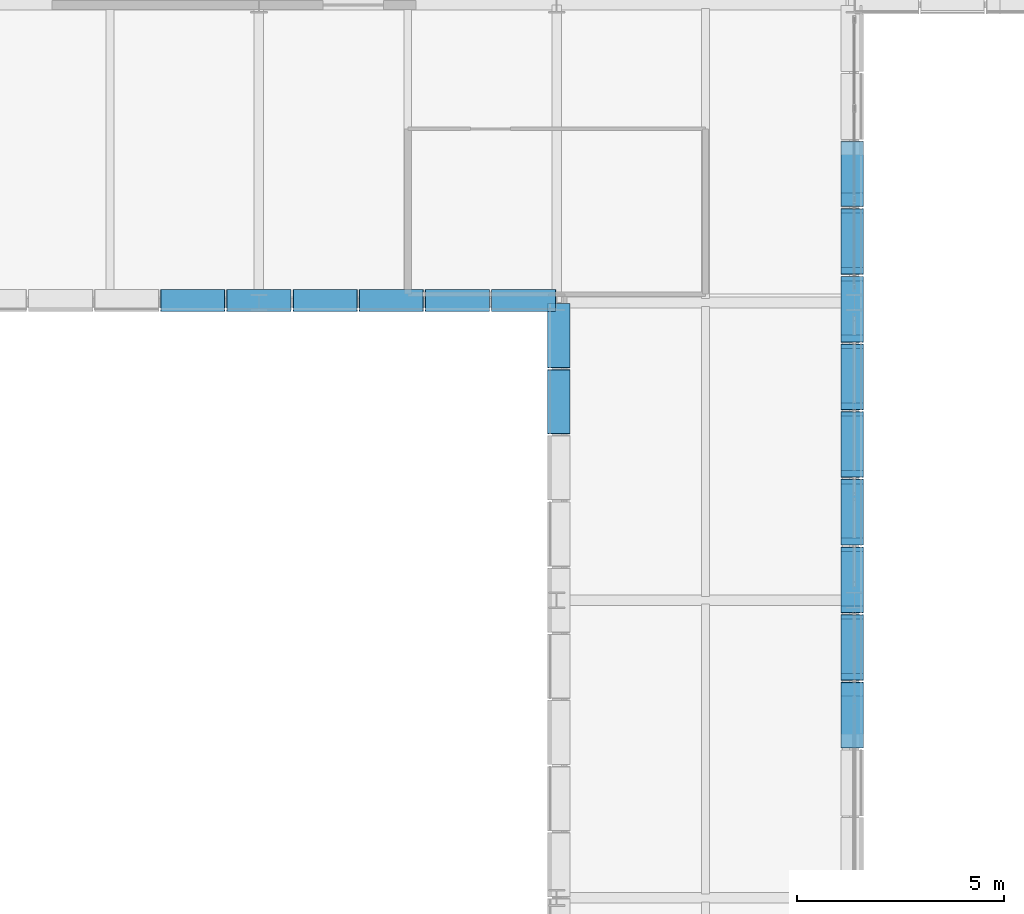
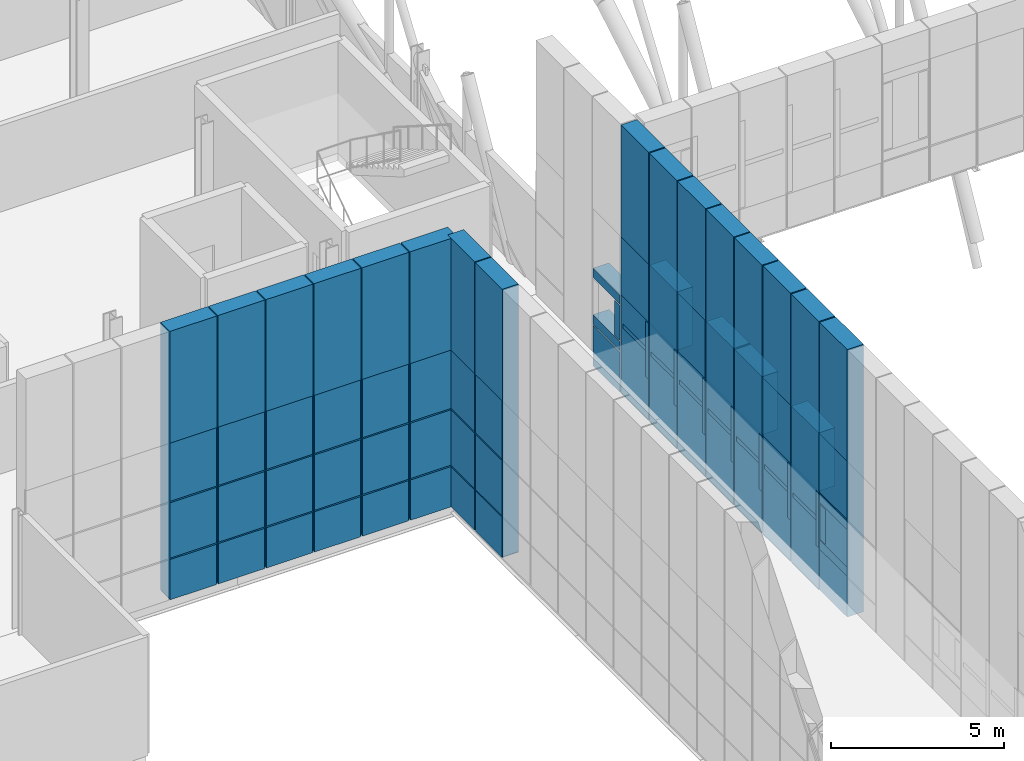
# One storey, part 113 of 144: 76 discrete accessories.
"""IFC4 building model written with IfcOpenShell, lengths in metres."""

from ifc_helpers import new_model, si_unit, direction, frame, origin, origin_2d, place, context, subcontext, project, spatial, rectangle, extrude, material, type_object, element, save


model = new_model("IFC4")

# Units and contexts
model_context = context("Model", 3, precision=1e-05, world=origin(), true_north=direction((0.0, 1.0)))
body_context = subcontext(model_context, "Body", "Model", "MODEL_VIEW")
ifc_project = project(units=[si_unit("LENGTHUNIT", "METRE"), si_unit("AREAUNIT", "SQUARE_METRE"), si_unit("VOLUMEUNIT", "CUBIC_METRE"), si_unit("PLANEANGLEUNIT", "RADIAN"), si_unit("MASSUNIT", "GRAM", prefix="KILO")], contexts=[model_context])

# Site, building, storey
site_placement = place(None, origin())
site = spatial("IfcSite", under=ifc_project, at=site_placement, CompositionType="ELEMENT")
building_placement = place(site_placement, origin())
building = spatial("IfcBuilding", under=site, at=building_placement, Name="Yarey Park Central Fire Station", CompositionType="ELEMENT")
storey_placement = place(building_placement, frame((0.0, 0.0, 10.199951171875)))
storey = spatial("IfcBuildingStorey", under=building, at=storey_placement, Name="L03", CompositionType="ELEMENT", Elevation=10.199951171875)

# Discrete accessories
ifc_material = material(Name="Stainless Steel AISI 316L", Category="steel")
discrete_accessory_type = type_object("IfcDiscreteAccessoryType", Name="ENV_BRK_SS1", PredefinedType="BRACKET", material=ifc_material)
for number, where, z_axis, x_axis, name in (
    (1, (57.550048828125, 40.418212890625, 0.97021484375), (0.0, 0.0, 1.0), (1.0, 0.0, 0.0), "BRK_PERF_L03_0386"),
    (2, (57.550048828125, 40.418212890625, 2.60986328125), (0.0, 0.0, 1.0), (1.0, 0.0, 0.0), "BRK_PERF_L03_0387"),
):
    element("IfcDiscreteAccessory", number, at=place(storey_placement, frame(where, z_axis=z_axis, x_axis=x_axis)), inside=storey, type_object=discrete_accessory_type, Name=name, PredefinedType="BRACKET", context=body_context, shape_type="SweptSolid", body=[
        extrude(rectangle(XDim=0.5400390625, YDim=1.576416015625, at=origin_2d()), origin(), (0.0, 0.0, 1.0), 0.320068359375),
    ])
discrete_accessory_1_placement = place(storey_placement, frame((57.550048828125, 41.036376953125, 1.3349609375), z_axis=(0.0, 0.0, 1.0), x_axis=(1.0, 0.0, 0.0)))
element("IfcDiscreteAccessory", 3, at=discrete_accessory_1_placement, inside=storey, type_object=discrete_accessory_type, Name="BRK_PERF_L03_0389", PredefinedType="BRACKET", context=body_context, shape_type="SweptSolid", body=[
    extrude(rectangle(XDim=0.5400390625, YDim=0.320068359375, at=origin_2d()), origin(), (0.0, 0.0, 1.0), 1.22998046875),
])
discrete_accessory_2_placement = place(storey_placement, frame((57.550048828125, 40.418212890625, 2.97509765625), z_axis=(0.0, 0.0, 1.0), x_axis=(1.0, 0.0, 0.0)))
element("IfcDiscreteAccessory", 4, at=discrete_accessory_2_placement, inside=storey, type_object=discrete_accessory_type, Name="BRK_PERF_L03_0390", PredefinedType="BRACKET", context=body_context, shape_type="SweptSolid", body=[
    extrude(rectangle(XDim=0.5400390625, YDim=1.576416015625, at=origin_2d()), origin(), (0.0, 0.0, 1.0), 2.050048828125),
])
discrete_accessory_3_placement = place(storey_placement, frame((57.550048828125, 40.418212890625, -0.4599609375), z_axis=(0.0, 0.0, 1.0), x_axis=(1.0, 0.0, 0.0)))
element("IfcDiscreteAccessory", 5, at=discrete_accessory_3_placement, inside=storey, type_object=discrete_accessory_type, Name="BRK_RAIL_L03_0395", PredefinedType="BRACKET", context=body_context, shape_type="SweptSolid", body=[
    extrude(rectangle(XDim=0.5400390625, YDim=1.596435546875, at=origin_2d()), origin(), (0.0, 0.0, 1.0), 9.419921875),
])
discrete_accessory_4_placement = place(storey_placement, frame((57.550048828125, 42.054443359375, -0.494873046875), z_axis=(0.0, 0.0, 1.0), x_axis=(1.0, 0.0, 0.0)))
element("IfcDiscreteAccessory", 6, at=discrete_accessory_4_placement, inside=storey, type_object=discrete_accessory_type, Name="BRK_PERF_L03_0396", PredefinedType="BRACKET", context=body_context, shape_type="SweptSolid", body=[
    extrude(rectangle(XDim=0.5400390625, YDim=1.576416015625, at=origin_2d()), origin(), (0.0, 0.0, 1.0), 1.419921875),
])
discrete_accessory_5_placement = place(storey_placement, frame((57.550048828125, 41.34619140625, 0.97509765625), z_axis=(0.0, 0.0, 1.0), x_axis=(1.0, 0.0, 0.0)))
element("IfcDiscreteAccessory", 7, at=discrete_accessory_5_placement, inside=storey, type_object=discrete_accessory_type, Name="BRK_PERF_L03_0397", PredefinedType="BRACKET", context=body_context, shape_type="SweptSolid", body=[
    extrude(rectangle(XDim=0.5400390625, YDim=0.159912109375, at=origin_2d()), origin(), (0.0, 0.0, 1.0), 1.949951171875),
])
discrete_accessory_6_placement = place(storey_placement, frame((57.550048828125, 42.054443359375, 1.8701171875), z_axis=(0.0, 0.0, 1.0), x_axis=(1.0, 0.0, 0.0)))
element("IfcDiscreteAccessory", 8, at=discrete_accessory_6_placement, inside=storey, type_object=discrete_accessory_type, Name="BRK_PERF_L03_0398", PredefinedType="BRACKET", context=body_context, shape_type="SweptSolid", body=[
    extrude(rectangle(XDim=0.5400390625, YDim=1.37646484375, at=origin_2d()), origin(), (0.0, 0.0, 1.0), 0.159912109375),
])
discrete_accessory_7_placement = place(storey_placement, frame((57.550048828125, 42.054443359375, 2.97509765625), z_axis=(0.0, 0.0, 1.0), x_axis=(1.0, 0.0, 0.0)))
element("IfcDiscreteAccessory", 9, at=discrete_accessory_7_placement, inside=storey, type_object=discrete_accessory_type, Name="BRK_PERF_L03_0399", PredefinedType="BRACKET", context=body_context, shape_type="SweptSolid", body=[
    extrude(rectangle(XDim=0.5400390625, YDim=1.576416015625, at=origin_2d()), origin(), (0.0, 0.0, 1.0), 2.050048828125),
])
discrete_accessory_8_placement = place(storey_placement, frame((57.550048828125, 42.054443359375, -0.4599609375), z_axis=(0.0, 0.0, 1.0), x_axis=(1.0, 0.0, 0.0)))
element("IfcDiscreteAccessory", 10, at=discrete_accessory_8_placement, inside=storey, type_object=discrete_accessory_type, Name="BRK_RAIL_L03_0402", PredefinedType="BRACKET", context=body_context, shape_type="SweptSolid", body=[
    extrude(rectangle(XDim=0.5400390625, YDim=1.596435546875, at=origin_2d()), origin(), (0.0, 0.0, 1.0), 9.419921875),
])
discrete_accessory_9_placement = place(storey_placement, frame((57.550048828125, 43.69091796875, -0.494873046875), z_axis=(0.0, 0.0, 1.0), x_axis=(1.0, 0.0, 0.0)))
element("IfcDiscreteAccessory", 11, at=discrete_accessory_9_placement, inside=storey, type_object=discrete_accessory_type, Name="BRK_PERF_L03_0403", PredefinedType="BRACKET", context=body_context, shape_type="SweptSolid", body=[
    extrude(rectangle(XDim=0.5400390625, YDim=1.576416015625, at=origin_2d()), origin(), (0.0, 0.0, 1.0), 1.419921875),
])
discrete_accessory_10_placement = place(storey_placement, frame((57.550048828125, 42.982666015625, 0.97509765625), z_axis=(0.0, 0.0, 1.0), x_axis=(1.0, 0.0, 0.0)))
element("IfcDiscreteAccessory", 12, at=discrete_accessory_10_placement, inside=storey, type_object=discrete_accessory_type, Name="BRK_PERF_L03_0404", PredefinedType="BRACKET", context=body_context, shape_type="SweptSolid", body=[
    extrude(rectangle(XDim=0.5400390625, YDim=0.159912109375, at=origin_2d()), origin(), (0.0, 0.0, 1.0), 1.949951171875),
])
discrete_accessory_11_placement = place(storey_placement, frame((57.550048828125, 43.69091796875, 1.8701171875), z_axis=(0.0, 0.0, 1.0), x_axis=(1.0, 0.0, 0.0)))
element("IfcDiscreteAccessory", 13, at=discrete_accessory_11_placement, inside=storey, type_object=discrete_accessory_type, Name="BRK_PERF_L03_0405", PredefinedType="BRACKET", context=body_context, shape_type="SweptSolid", body=[
    extrude(rectangle(XDim=0.5400390625, YDim=1.37646484375, at=origin_2d()), origin(), (0.0, 0.0, 1.0), 0.159912109375),
])
discrete_accessory_12_placement = place(storey_placement, frame((57.550048828125, 43.69091796875, 2.97509765625), z_axis=(0.0, 0.0, 1.0), x_axis=(1.0, 0.0, 0.0)))
element("IfcDiscreteAccessory", 14, at=discrete_accessory_12_placement, inside=storey, type_object=discrete_accessory_type, Name="BRK_PERF_L03_0406", PredefinedType="BRACKET", context=body_context, shape_type="SweptSolid", body=[
    extrude(rectangle(XDim=0.5400390625, YDim=1.576416015625, at=origin_2d()), origin(), (0.0, 0.0, 1.0), 2.050048828125),
])
discrete_accessory_13_placement = place(storey_placement, frame((57.550048828125, 43.69091796875, -0.4599609375), z_axis=(0.0, 0.0, 1.0), x_axis=(1.0, 0.0, 0.0)))
element("IfcDiscreteAccessory", 15, at=discrete_accessory_13_placement, inside=storey, type_object=discrete_accessory_type, Name="BRK_RAIL_L03_0409", PredefinedType="BRACKET", context=body_context, shape_type="SweptSolid", body=[
    extrude(rectangle(XDim=0.5400390625, YDim=1.596435546875, at=origin_2d()), origin(), (0.0, 0.0, 1.0), 9.419921875),
])
discrete_accessory_14_placement = place(storey_placement, frame((57.550048828125, 45.327392578125, -0.494873046875), z_axis=(0.0, 0.0, 1.0), x_axis=(1.0, 0.0, 0.0)))
element("IfcDiscreteAccessory", 16, at=discrete_accessory_14_placement, inside=storey, type_object=discrete_accessory_type, Name="BRK_PERF_L03_0410", PredefinedType="BRACKET", context=body_context, shape_type="SweptSolid", body=[
    extrude(rectangle(XDim=0.5400390625, YDim=1.576416015625, at=origin_2d()), origin(), (0.0, 0.0, 1.0), 1.419921875),
])
discrete_accessory_15_placement = place(storey_placement, frame((57.550048828125, 44.619140625, 0.97509765625), z_axis=(0.0, 0.0, 1.0), x_axis=(1.0, 0.0, 0.0)))
element("IfcDiscreteAccessory", 17, at=discrete_accessory_15_placement, inside=storey, type_object=discrete_accessory_type, Name="BRK_PERF_L03_0411", PredefinedType="BRACKET", context=body_context, shape_type="SweptSolid", body=[
    extrude(rectangle(XDim=0.5400390625, YDim=0.159912109375, at=origin_2d()), origin(), (0.0, 0.0, 1.0), 1.949951171875),
])
discrete_accessory_16_placement = place(storey_placement, frame((57.550048828125, 45.327392578125, 1.8701171875), z_axis=(0.0, 0.0, 1.0), x_axis=(1.0, 0.0, 0.0)))
element("IfcDiscreteAccessory", 18, at=discrete_accessory_16_placement, inside=storey, type_object=discrete_accessory_type, Name="BRK_PERF_L03_0412", PredefinedType="BRACKET", context=body_context, shape_type="SweptSolid", body=[
    extrude(rectangle(XDim=0.5400390625, YDim=1.37646484375, at=origin_2d()), origin(), (0.0, 0.0, 1.0), 0.159912109375),
])
discrete_accessory_17_placement = place(storey_placement, frame((57.550048828125, 45.327392578125, 2.97509765625), z_axis=(0.0, 0.0, 1.0), x_axis=(1.0, 0.0, 0.0)))
element("IfcDiscreteAccessory", 19, at=discrete_accessory_17_placement, inside=storey, type_object=discrete_accessory_type, Name="BRK_PERF_L03_0413", PredefinedType="BRACKET", context=body_context, shape_type="SweptSolid", body=[
    extrude(rectangle(XDim=0.5400390625, YDim=1.576416015625, at=origin_2d()), origin(), (0.0, 0.0, 1.0), 2.050048828125),
])
discrete_accessory_18_placement = place(storey_placement, frame((57.550048828125, 45.327392578125, -0.4599609375), z_axis=(0.0, 0.0, 1.0), x_axis=(1.0, 0.0, 0.0)))
element("IfcDiscreteAccessory", 20, at=discrete_accessory_18_placement, inside=storey, type_object=discrete_accessory_type, Name="BRK_RAIL_L03_0416", PredefinedType="BRACKET", context=body_context, shape_type="SweptSolid", body=[
    extrude(rectangle(XDim=0.5400390625, YDim=1.596435546875, at=origin_2d()), origin(), (0.0, 0.0, 1.0), 9.419921875),
])
discrete_accessory_19_placement = place(storey_placement, frame((57.550048828125, 46.963623046875, -0.494873046875), z_axis=(0.0, 0.0, 1.0), x_axis=(1.0, 0.0, 0.0)))
element("IfcDiscreteAccessory", 21, at=discrete_accessory_19_placement, inside=storey, type_object=discrete_accessory_type, Name="BRK_PERF_L03_0417", PredefinedType="BRACKET", context=body_context, shape_type="SweptSolid", body=[
    extrude(rectangle(XDim=0.5400390625, YDim=1.576416015625, at=origin_2d()), origin(), (0.0, 0.0, 1.0), 1.419921875),
])
discrete_accessory_20_placement = place(storey_placement, frame((57.550048828125, 46.25537109375, 0.97509765625), z_axis=(0.0, 0.0, 1.0), x_axis=(1.0, 0.0, 0.0)))
element("IfcDiscreteAccessory", 22, at=discrete_accessory_20_placement, inside=storey, type_object=discrete_accessory_type, Name="BRK_PERF_L03_0418", PredefinedType="BRACKET", context=body_context, shape_type="SweptSolid", body=[
    extrude(rectangle(XDim=0.5400390625, YDim=0.159912109375, at=origin_2d()), origin(), (0.0, 0.0, 1.0), 1.949951171875),
])
discrete_accessory_21_placement = place(storey_placement, frame((57.550048828125, 46.963623046875, 1.8701171875), z_axis=(0.0, 0.0, 1.0), x_axis=(1.0, 0.0, 0.0)))
element("IfcDiscreteAccessory", 23, at=discrete_accessory_21_placement, inside=storey, type_object=discrete_accessory_type, Name="BRK_PERF_L03_0419", PredefinedType="BRACKET", context=body_context, shape_type="SweptSolid", body=[
    extrude(rectangle(XDim=0.5400390625, YDim=1.37646484375, at=origin_2d()), origin(), (0.0, 0.0, 1.0), 0.159912109375),
])
discrete_accessory_22_placement = place(storey_placement, frame((57.550048828125, 46.963623046875, 2.97509765625), z_axis=(0.0, 0.0, 1.0), x_axis=(1.0, 0.0, 0.0)))
element("IfcDiscreteAccessory", 24, at=discrete_accessory_22_placement, inside=storey, type_object=discrete_accessory_type, Name="BRK_PERF_L03_0420", PredefinedType="BRACKET", context=body_context, shape_type="SweptSolid", body=[
    extrude(rectangle(XDim=0.5400390625, YDim=1.576416015625, at=origin_2d()), origin(), (0.0, 0.0, 1.0), 2.050048828125),
])
discrete_accessory_23_placement = place(storey_placement, frame((57.550048828125, 46.963623046875, -0.4599609375), z_axis=(0.0, 0.0, 1.0), x_axis=(1.0, 0.0, 0.0)))
element("IfcDiscreteAccessory", 25, at=discrete_accessory_23_placement, inside=storey, type_object=discrete_accessory_type, Name="BRK_RAIL_L03_0423", PredefinedType="BRACKET", context=body_context, shape_type="SweptSolid", body=[
    extrude(rectangle(XDim=0.5400390625, YDim=1.596435546875, at=origin_2d()), origin(), (0.0, 0.0, 1.0), 9.419921875),
])
discrete_accessory_24_placement = place(storey_placement, frame((57.550048828125, 48.60009765625, -0.494873046875), z_axis=(0.0, 0.0, 1.0), x_axis=(1.0, 0.0, 0.0)))
element("IfcDiscreteAccessory", 26, at=discrete_accessory_24_placement, inside=storey, type_object=discrete_accessory_type, Name="BRK_PERF_L03_0424", PredefinedType="BRACKET", context=body_context, shape_type="SweptSolid", body=[
    extrude(rectangle(XDim=0.5400390625, YDim=1.576416015625, at=origin_2d()), origin(), (0.0, 0.0, 1.0), 1.419921875),
])
discrete_accessory_25_placement = place(storey_placement, frame((57.550048828125, 47.891845703125, 0.97509765625), z_axis=(0.0, 0.0, 1.0), x_axis=(1.0, 0.0, 0.0)))
element("IfcDiscreteAccessory", 27, at=discrete_accessory_25_placement, inside=storey, type_object=discrete_accessory_type, Name="BRK_PERF_L03_0425", PredefinedType="BRACKET", context=body_context, shape_type="SweptSolid", body=[
    extrude(rectangle(XDim=0.5400390625, YDim=0.159912109375, at=origin_2d()), origin(), (0.0, 0.0, 1.0), 1.949951171875),
])
discrete_accessory_26_placement = place(storey_placement, frame((57.550048828125, 48.60009765625, 1.8701171875), z_axis=(0.0, 0.0, 1.0), x_axis=(1.0, 0.0, 0.0)))
element("IfcDiscreteAccessory", 28, at=discrete_accessory_26_placement, inside=storey, type_object=discrete_accessory_type, Name="BRK_PERF_L03_0426", PredefinedType="BRACKET", context=body_context, shape_type="SweptSolid", body=[
    extrude(rectangle(XDim=0.5400390625, YDim=1.37646484375, at=origin_2d()), origin(), (0.0, 0.0, 1.0), 0.159912109375),
])
discrete_accessory_27_placement = place(storey_placement, frame((57.550048828125, 48.60009765625, 2.97509765625), z_axis=(0.0, 0.0, 1.0), x_axis=(1.0, 0.0, 0.0)))
element("IfcDiscreteAccessory", 29, at=discrete_accessory_27_placement, inside=storey, type_object=discrete_accessory_type, Name="BRK_PERF_L03_0427", PredefinedType="BRACKET", context=body_context, shape_type="SweptSolid", body=[
    extrude(rectangle(XDim=0.5400390625, YDim=1.576416015625, at=origin_2d()), origin(), (0.0, 0.0, 1.0), 2.050048828125),
])
discrete_accessory_28_placement = place(storey_placement, frame((57.550048828125, 48.60009765625, -0.4599609375), z_axis=(0.0, 0.0, 1.0), x_axis=(1.0, 0.0, 0.0)))
element("IfcDiscreteAccessory", 30, at=discrete_accessory_28_placement, inside=storey, type_object=discrete_accessory_type, Name="BRK_RAIL_L03_0430", PredefinedType="BRACKET", context=body_context, shape_type="SweptSolid", body=[
    extrude(rectangle(XDim=0.5400390625, YDim=1.596435546875, at=origin_2d()), origin(), (0.0, 0.0, 1.0), 9.419921875),
])
discrete_accessory_29_placement = place(storey_placement, frame((57.550048828125, 50.236328125, -0.494873046875), z_axis=(0.0, 0.0, 1.0), x_axis=(1.0, 0.0, 0.0)))
element("IfcDiscreteAccessory", 31, at=discrete_accessory_29_placement, inside=storey, type_object=discrete_accessory_type, Name="BRK_PERF_L03_0431", PredefinedType="BRACKET", context=body_context, shape_type="SweptSolid", body=[
    extrude(rectangle(XDim=0.5400390625, YDim=1.576416015625, at=origin_2d()), origin(), (0.0, 0.0, 1.0), 1.419921875),
])
discrete_accessory_30_placement = place(storey_placement, frame((57.550048828125, 49.5283203125, 0.97509765625), z_axis=(0.0, 0.0, 1.0), x_axis=(1.0, 0.0, 0.0)))
element("IfcDiscreteAccessory", 32, at=discrete_accessory_30_placement, inside=storey, type_object=discrete_accessory_type, Name="BRK_PERF_L03_0432", PredefinedType="BRACKET", context=body_context, shape_type="SweptSolid", body=[
    extrude(rectangle(XDim=0.5400390625, YDim=0.159912109375, at=origin_2d()), origin(), (0.0, 0.0, 1.0), 1.949951171875),
])
discrete_accessory_31_placement = place(storey_placement, frame((57.550048828125, 50.236328125, 1.8701171875), z_axis=(0.0, 0.0, 1.0), x_axis=(1.0, 0.0, 0.0)))
element("IfcDiscreteAccessory", 33, at=discrete_accessory_31_placement, inside=storey, type_object=discrete_accessory_type, Name="BRK_PERF_L03_0433", PredefinedType="BRACKET", context=body_context, shape_type="SweptSolid", body=[
    extrude(rectangle(XDim=0.5400390625, YDim=1.37646484375, at=origin_2d()), origin(), (0.0, 0.0, 1.0), 0.159912109375),
])
discrete_accessory_32_placement = place(storey_placement, frame((57.550048828125, 50.236328125, 2.97509765625), z_axis=(0.0, 0.0, 1.0), x_axis=(1.0, 0.0, 0.0)))
element("IfcDiscreteAccessory", 34, at=discrete_accessory_32_placement, inside=storey, type_object=discrete_accessory_type, Name="BRK_PERF_L03_0434", PredefinedType="BRACKET", context=body_context, shape_type="SweptSolid", body=[
    extrude(rectangle(XDim=0.5400390625, YDim=1.576416015625, at=origin_2d()), origin(), (0.0, 0.0, 1.0), 2.050048828125),
])
discrete_accessory_33_placement = place(storey_placement, frame((57.550048828125, 50.236328125, -0.4599609375), z_axis=(0.0, 0.0, 1.0), x_axis=(1.0, 0.0, 0.0)))
element("IfcDiscreteAccessory", 35, at=discrete_accessory_33_placement, inside=storey, type_object=discrete_accessory_type, Name="BRK_RAIL_L03_0437", PredefinedType="BRACKET", context=body_context, shape_type="SweptSolid", body=[
    extrude(rectangle(XDim=0.5400390625, YDim=1.596435546875, at=origin_2d()), origin(), (0.0, 0.0, 1.0), 9.419921875),
])
discrete_accessory_34_placement = place(storey_placement, frame((57.550048828125, 51.872802734375, -0.494873046875), z_axis=(0.0, 0.0, 1.0), x_axis=(1.0, 0.0, 0.0)))
element("IfcDiscreteAccessory", 36, at=discrete_accessory_34_placement, inside=storey, type_object=discrete_accessory_type, Name="BRK_PERF_L03_0438", PredefinedType="BRACKET", context=body_context, shape_type="SweptSolid", body=[
    extrude(rectangle(XDim=0.5400390625, YDim=1.576416015625, at=origin_2d()), origin(), (0.0, 0.0, 1.0), 1.419921875),
])
discrete_accessory_35_placement = place(storey_placement, frame((57.550048828125, 51.16455078125, 0.97509765625), z_axis=(0.0, 0.0, 1.0), x_axis=(1.0, 0.0, 0.0)))
element("IfcDiscreteAccessory", 37, at=discrete_accessory_35_placement, inside=storey, type_object=discrete_accessory_type, Name="BRK_PERF_L03_0439", PredefinedType="BRACKET", context=body_context, shape_type="SweptSolid", body=[
    extrude(rectangle(XDim=0.5400390625, YDim=0.159912109375, at=origin_2d()), origin(), (0.0, 0.0, 1.0), 1.949951171875),
])
discrete_accessory_36_placement = place(storey_placement, frame((57.550048828125, 51.872802734375, 1.8701171875), z_axis=(0.0, 0.0, 1.0), x_axis=(1.0, 0.0, 0.0)))
element("IfcDiscreteAccessory", 38, at=discrete_accessory_36_placement, inside=storey, type_object=discrete_accessory_type, Name="BRK_PERF_L03_0440", PredefinedType="BRACKET", context=body_context, shape_type="SweptSolid", body=[
    extrude(rectangle(XDim=0.5400390625, YDim=1.37646484375, at=origin_2d()), origin(), (0.0, 0.0, 1.0), 0.159912109375),
])
discrete_accessory_37_placement = place(storey_placement, frame((57.550048828125, 51.872802734375, 2.97509765625), z_axis=(0.0, 0.0, 1.0), x_axis=(1.0, 0.0, 0.0)))
element("IfcDiscreteAccessory", 39, at=discrete_accessory_37_placement, inside=storey, type_object=discrete_accessory_type, Name="BRK_PERF_L03_0441", PredefinedType="BRACKET", context=body_context, shape_type="SweptSolid", body=[
    extrude(rectangle(XDim=0.5400390625, YDim=1.576416015625, at=origin_2d()), origin(), (0.0, 0.0, 1.0), 2.050048828125),
])
discrete_accessory_38_placement = place(storey_placement, frame((57.550048828125, 51.872802734375, -0.4599609375), z_axis=(0.0, 0.0, 1.0), x_axis=(1.0, 0.0, 0.0)))
element("IfcDiscreteAccessory", 40, at=discrete_accessory_38_placement, inside=storey, type_object=discrete_accessory_type, Name="BRK_RAIL_L03_0444", PredefinedType="BRACKET", context=body_context, shape_type="SweptSolid", body=[
    extrude(rectangle(XDim=0.5400390625, YDim=1.596435546875, at=origin_2d()), origin(), (0.0, 0.0, 1.0), 9.419921875),
])
discrete_accessory_39_placement = place(storey_placement, frame((57.550048828125, 53.509033203125, -0.494873046875), z_axis=(0.0, 0.0, 1.0), x_axis=(1.0, 0.0, 0.0)))
element("IfcDiscreteAccessory", 41, at=discrete_accessory_39_placement, inside=storey, type_object=discrete_accessory_type, Name="BRK_PERF_L03_0445", PredefinedType="BRACKET", context=body_context, shape_type="SweptSolid", body=[
    extrude(rectangle(XDim=0.5400390625, YDim=1.576416015625, at=origin_2d()), origin(), (0.0, 0.0, 1.0), 1.419921875),
])
for number, where, z_axis, x_axis, name in (
    (42, (57.550048828125, 53.509033203125, 0.97021484375), (0.0, 0.0, 1.0), (1.0, 0.0, 0.0), "BRK_PERF_L03_0446"),
    (43, (57.550048828125, 53.509033203125, 2.60986328125), (0.0, 0.0, 1.0), (1.0, 0.0, 0.0), "BRK_PERF_L03_0447"),
):
    element("IfcDiscreteAccessory", number, at=place(storey_placement, frame(where, z_axis=z_axis, x_axis=x_axis)), inside=storey, type_object=discrete_accessory_type, Name=name, PredefinedType="BRACKET", context=body_context, shape_type="SweptSolid", body=[
        extrude(rectangle(XDim=0.5400390625, YDim=1.576416015625, at=origin_2d()), origin(), (0.0, 0.0, 1.0), 0.320068359375),
    ])
discrete_accessory_40_placement = place(storey_placement, frame((57.550048828125, 52.890869140625, 1.3349609375), z_axis=(0.0, 0.0, 1.0), x_axis=(1.0, 0.0, 0.0)))
element("IfcDiscreteAccessory", 44, at=discrete_accessory_40_placement, inside=storey, type_object=discrete_accessory_type, Name="BRK_PERF_L03_0448", PredefinedType="BRACKET", context=body_context, shape_type="SweptSolid", body=[
    extrude(rectangle(XDim=0.5400390625, YDim=0.320068359375, at=origin_2d()), origin(), (0.0, 0.0, 1.0), 1.22998046875),
])
discrete_accessory_41_placement = place(storey_placement, frame((50.449951171875, 48.0, -0.494873046875), z_axis=(0.0, 0.0, 1.0), x_axis=(1.0, 0.0, 0.0)))
element("IfcDiscreteAccessory", 45, at=discrete_accessory_41_placement, inside=storey, type_object=discrete_accessory_type, Name="BRK_PERF_L03_1067", PredefinedType="BRACKET", context=body_context, shape_type="SweptSolid", body=[
    extrude(rectangle(XDim=0.5400390625, YDim=1.5400390625, at=origin_2d()), origin(), (0.0, 0.0, 1.0), 1.419921875),
])
discrete_accessory_42_placement = place(storey_placement, frame((50.449951171875, 48.0, 0.97509765625), z_axis=(0.0, 0.0, 1.0), x_axis=(1.0, 0.0, 0.0)))
element("IfcDiscreteAccessory", 46, at=discrete_accessory_42_placement, inside=storey, type_object=discrete_accessory_type, Name="BRK_PERF_L03_1068", PredefinedType="BRACKET", context=body_context, shape_type="SweptSolid", body=[
    extrude(rectangle(XDim=0.5400390625, YDim=1.5400390625, at=origin_2d()), origin(), (0.0, 0.0, 1.0), 1.949951171875),
])
discrete_accessory_43_placement = place(storey_placement, frame((50.449951171875, 48.0, 2.97509765625), z_axis=(0.0, 0.0, 1.0), x_axis=(1.0, 0.0, 0.0)))
element("IfcDiscreteAccessory", 47, at=discrete_accessory_43_placement, inside=storey, type_object=discrete_accessory_type, Name="BRK_PERF_L03_1069", PredefinedType="BRACKET", context=body_context, shape_type="SweptSolid", body=[
    extrude(rectangle(XDim=0.5400390625, YDim=1.5400390625, at=origin_2d()), origin(), (0.0, 0.0, 1.0), 2.050048828125),
])
discrete_accessory_44_placement = place(storey_placement, frame((50.449951171875, 48.0, -0.4599609375), z_axis=(0.0, 0.0, 1.0), x_axis=(1.0, 0.0, 0.0)))
element("IfcDiscreteAccessory", 48, at=discrete_accessory_44_placement, inside=storey, type_object=discrete_accessory_type, Name="BRK_RAIL_L03_1071", PredefinedType="BRACKET", context=body_context, shape_type="SweptSolid", body=[
    extrude(rectangle(XDim=0.5400390625, YDim=1.56005859375, at=origin_2d()), origin(), (0.0, 0.0, 1.0), 9.419921875),
])
discrete_accessory_45_placement = place(storey_placement, frame((50.449951171875, 49.60009765625, -0.494873046875), z_axis=(0.0, 0.0, 1.0), x_axis=(1.0, 0.0, 0.0)))
element("IfcDiscreteAccessory", 49, at=discrete_accessory_45_placement, inside=storey, type_object=discrete_accessory_type, Name="BRK_PERF_L03_1072", PredefinedType="BRACKET", context=body_context, shape_type="SweptSolid", body=[
    extrude(rectangle(XDim=0.5400390625, YDim=1.5400390625, at=origin_2d()), origin(), (0.0, 0.0, 1.0), 1.419921875),
])
discrete_accessory_46_placement = place(storey_placement, frame((50.449951171875, 49.60009765625, 0.97509765625), z_axis=(0.0, 0.0, 1.0), x_axis=(1.0, 0.0, 0.0)))
element("IfcDiscreteAccessory", 50, at=discrete_accessory_46_placement, inside=storey, type_object=discrete_accessory_type, Name="BRK_PERF_L03_1073", PredefinedType="BRACKET", context=body_context, shape_type="SweptSolid", body=[
    extrude(rectangle(XDim=0.5400390625, YDim=1.5400390625, at=origin_2d()), origin(), (0.0, 0.0, 1.0), 1.949951171875),
])
discrete_accessory_47_placement = place(storey_placement, frame((50.449951171875, 49.60009765625, 2.97509765625), z_axis=(0.0, 0.0, 1.0), x_axis=(1.0, 0.0, 0.0)))
element("IfcDiscreteAccessory", 51, at=discrete_accessory_47_placement, inside=storey, type_object=discrete_accessory_type, Name="BRK_PERF_L03_1074", PredefinedType="BRACKET", context=body_context, shape_type="SweptSolid", body=[
    extrude(rectangle(XDim=0.5400390625, YDim=1.5400390625, at=origin_2d()), origin(), (0.0, 0.0, 1.0), 2.050048828125),
])
discrete_accessory_48_placement = place(storey_placement, frame((50.449951171875, 49.60009765625, -0.4599609375), z_axis=(0.0, 0.0, 1.0), x_axis=(1.0, 0.0, 0.0)))
element("IfcDiscreteAccessory", 52, at=discrete_accessory_48_placement, inside=storey, type_object=discrete_accessory_type, Name="BRK_RAIL_L03_1076", PredefinedType="BRACKET", context=body_context, shape_type="SweptSolid", body=[
    extrude(rectangle(XDim=0.5400390625, YDim=1.56005859375, at=origin_2d()), origin(), (0.0, 0.0, 1.0), 9.419921875),
])
discrete_accessory_49_placement = place(storey_placement, frame((41.60009765625, 50.449951171875, -0.494873046875), z_axis=(0.0, 0.0, 1.0), x_axis=(1.0, 0.0, 0.0)))
element("IfcDiscreteAccessory", 53, at=discrete_accessory_49_placement, inside=storey, type_object=discrete_accessory_type, Name="BRK_PERF_L03_1092", PredefinedType="BRACKET", context=body_context, shape_type="SweptSolid", body=[
    extrude(rectangle(XDim=1.5400390625, YDim=0.5400390625, at=origin_2d()), origin(), (0.0, 0.0, 1.0), 1.419921875),
])
discrete_accessory_50_placement = place(storey_placement, frame((41.60009765625, 50.449951171875, 0.97509765625), z_axis=(0.0, 0.0, 1.0), x_axis=(1.0, 0.0, 0.0)))
element("IfcDiscreteAccessory", 54, at=discrete_accessory_50_placement, inside=storey, type_object=discrete_accessory_type, Name="BRK_PERF_L03_1093", PredefinedType="BRACKET", context=body_context, shape_type="SweptSolid", body=[
    extrude(rectangle(XDim=1.5400390625, YDim=0.5400390625, at=origin_2d()), origin(), (0.0, 0.0, 1.0), 1.949951171875),
])
discrete_accessory_51_placement = place(storey_placement, frame((41.60009765625, 50.449951171875, 2.97509765625), z_axis=(0.0, 0.0, 1.0), x_axis=(1.0, 0.0, 0.0)))
element("IfcDiscreteAccessory", 55, at=discrete_accessory_51_placement, inside=storey, type_object=discrete_accessory_type, Name="BRK_PERF_L03_1094", PredefinedType="BRACKET", context=body_context, shape_type="SweptSolid", body=[
    extrude(rectangle(XDim=1.5400390625, YDim=0.5400390625, at=origin_2d()), origin(), (0.0, 0.0, 1.0), 2.050048828125),
])
discrete_accessory_52_placement = place(storey_placement, frame((41.60009765625, 50.449951171875, -0.4599609375), z_axis=(0.0, 0.0, 1.0), x_axis=(1.0, 0.0, 0.0)))
element("IfcDiscreteAccessory", 56, at=discrete_accessory_52_placement, inside=storey, type_object=discrete_accessory_type, Name="BRK_RAIL_L03_1096", PredefinedType="BRACKET", context=body_context, shape_type="SweptSolid", body=[
    extrude(rectangle(XDim=1.56005859375, YDim=0.5400390625, at=origin_2d()), origin(), (0.0, 0.0, 1.0), 9.419921875),
])
discrete_accessory_53_placement = place(storey_placement, frame((43.199951171875, 50.449951171875, -0.494873046875), z_axis=(0.0, 0.0, 1.0), x_axis=(1.0, 0.0, 0.0)))
element("IfcDiscreteAccessory", 57, at=discrete_accessory_53_placement, inside=storey, type_object=discrete_accessory_type, Name="BRK_PERF_L03_1097", PredefinedType="BRACKET", context=body_context, shape_type="SweptSolid", body=[
    extrude(rectangle(XDim=1.5400390625, YDim=0.5400390625, at=origin_2d()), origin(), (0.0, 0.0, 1.0), 1.419921875),
])
discrete_accessory_54_placement = place(storey_placement, frame((43.199951171875, 50.449951171875, 0.97509765625), z_axis=(0.0, 0.0, 1.0), x_axis=(1.0, 0.0, 0.0)))
element("IfcDiscreteAccessory", 58, at=discrete_accessory_54_placement, inside=storey, type_object=discrete_accessory_type, Name="BRK_PERF_L03_1098", PredefinedType="BRACKET", context=body_context, shape_type="SweptSolid", body=[
    extrude(rectangle(XDim=1.5400390625, YDim=0.5400390625, at=origin_2d()), origin(), (0.0, 0.0, 1.0), 1.949951171875),
])
discrete_accessory_55_placement = place(storey_placement, frame((43.199951171875, 50.449951171875, 2.97509765625), z_axis=(0.0, 0.0, 1.0), x_axis=(1.0, 0.0, 0.0)))
element("IfcDiscreteAccessory", 59, at=discrete_accessory_55_placement, inside=storey, type_object=discrete_accessory_type, Name="BRK_PERF_L03_1099", PredefinedType="BRACKET", context=body_context, shape_type="SweptSolid", body=[
    extrude(rectangle(XDim=1.5400390625, YDim=0.5400390625, at=origin_2d()), origin(), (0.0, 0.0, 1.0), 2.050048828125),
])
discrete_accessory_56_placement = place(storey_placement, frame((43.199951171875, 50.449951171875, -0.4599609375), z_axis=(0.0, 0.0, 1.0), x_axis=(1.0, 0.0, 0.0)))
element("IfcDiscreteAccessory", 60, at=discrete_accessory_56_placement, inside=storey, type_object=discrete_accessory_type, Name="BRK_RAIL_L03_1101", PredefinedType="BRACKET", context=body_context, shape_type="SweptSolid", body=[
    extrude(rectangle(XDim=1.56005859375, YDim=0.5400390625, at=origin_2d()), origin(), (0.0, 0.0, 1.0), 9.419921875),
])
discrete_accessory_57_placement = place(storey_placement, frame((44.800048828125, 50.449951171875, -0.494873046875), z_axis=(0.0, 0.0, 1.0), x_axis=(1.0, 0.0, 0.0)))
element("IfcDiscreteAccessory", 61, at=discrete_accessory_57_placement, inside=storey, type_object=discrete_accessory_type, Name="BRK_PERF_L03_1102", PredefinedType="BRACKET", context=body_context, shape_type="SweptSolid", body=[
    extrude(rectangle(XDim=1.5400390625, YDim=0.5400390625, at=origin_2d()), origin(), (0.0, 0.0, 1.0), 1.419921875),
])
discrete_accessory_58_placement = place(storey_placement, frame((44.800048828125, 50.449951171875, 0.97509765625), z_axis=(0.0, 0.0, 1.0), x_axis=(1.0, 0.0, 0.0)))
element("IfcDiscreteAccessory", 62, at=discrete_accessory_58_placement, inside=storey, type_object=discrete_accessory_type, Name="BRK_PERF_L03_1103", PredefinedType="BRACKET", context=body_context, shape_type="SweptSolid", body=[
    extrude(rectangle(XDim=1.5400390625, YDim=0.5400390625, at=origin_2d()), origin(), (0.0, 0.0, 1.0), 1.949951171875),
])
discrete_accessory_59_placement = place(storey_placement, frame((44.800048828125, 50.449951171875, 2.97509765625), z_axis=(0.0, 0.0, 1.0), x_axis=(1.0, 0.0, 0.0)))
element("IfcDiscreteAccessory", 63, at=discrete_accessory_59_placement, inside=storey, type_object=discrete_accessory_type, Name="BRK_PERF_L03_1104", PredefinedType="BRACKET", context=body_context, shape_type="SweptSolid", body=[
    extrude(rectangle(XDim=1.5400390625, YDim=0.5400390625, at=origin_2d()), origin(), (0.0, 0.0, 1.0), 2.050048828125),
])
discrete_accessory_60_placement = place(storey_placement, frame((44.800048828125, 50.449951171875, -0.4599609375), z_axis=(0.0, 0.0, 1.0), x_axis=(1.0, 0.0, 0.0)))
element("IfcDiscreteAccessory", 64, at=discrete_accessory_60_placement, inside=storey, type_object=discrete_accessory_type, Name="BRK_RAIL_L03_1106", PredefinedType="BRACKET", context=body_context, shape_type="SweptSolid", body=[
    extrude(rectangle(XDim=1.56005859375, YDim=0.5400390625, at=origin_2d()), origin(), (0.0, 0.0, 1.0), 9.419921875),
])
discrete_accessory_61_placement = place(storey_placement, frame((46.39990234375, 50.449951171875, -0.494873046875), z_axis=(0.0, 0.0, 1.0), x_axis=(1.0, 0.0, 0.0)))
element("IfcDiscreteAccessory", 65, at=discrete_accessory_61_placement, inside=storey, type_object=discrete_accessory_type, Name="BRK_PERF_L03_1107", PredefinedType="BRACKET", context=body_context, shape_type="SweptSolid", body=[
    extrude(rectangle(XDim=1.5400390625, YDim=0.5400390625, at=origin_2d()), origin(), (0.0, 0.0, 1.0), 1.419921875),
])
discrete_accessory_62_placement = place(storey_placement, frame((46.39990234375, 50.449951171875, 0.97509765625), z_axis=(0.0, 0.0, 1.0), x_axis=(1.0, 0.0, 0.0)))
element("IfcDiscreteAccessory", 66, at=discrete_accessory_62_placement, inside=storey, type_object=discrete_accessory_type, Name="BRK_PERF_L03_1108", PredefinedType="BRACKET", context=body_context, shape_type="SweptSolid", body=[
    extrude(rectangle(XDim=1.5400390625, YDim=0.5400390625, at=origin_2d()), origin(), (0.0, 0.0, 1.0), 1.949951171875),
])
discrete_accessory_63_placement = place(storey_placement, frame((46.39990234375, 50.449951171875, 2.97509765625), z_axis=(0.0, 0.0, 1.0), x_axis=(1.0, 0.0, 0.0)))
element("IfcDiscreteAccessory", 67, at=discrete_accessory_63_placement, inside=storey, type_object=discrete_accessory_type, Name="BRK_PERF_L03_1109", PredefinedType="BRACKET", context=body_context, shape_type="SweptSolid", body=[
    extrude(rectangle(XDim=1.5400390625, YDim=0.5400390625, at=origin_2d()), origin(), (0.0, 0.0, 1.0), 2.050048828125),
])
discrete_accessory_64_placement = place(storey_placement, frame((46.39990234375, 50.449951171875, -0.4599609375), z_axis=(0.0, 0.0, 1.0), x_axis=(1.0, 0.0, 0.0)))
element("IfcDiscreteAccessory", 68, at=discrete_accessory_64_placement, inside=storey, type_object=discrete_accessory_type, Name="BRK_RAIL_L03_1111", PredefinedType="BRACKET", context=body_context, shape_type="SweptSolid", body=[
    extrude(rectangle(XDim=1.56005859375, YDim=0.5400390625, at=origin_2d()), origin(), (0.0, 0.0, 1.0), 9.419921875),
])
discrete_accessory_65_placement = place(storey_placement, frame((48.0, 50.449951171875, -0.494873046875), z_axis=(0.0, 0.0, 1.0), x_axis=(1.0, 0.0, 0.0)))
element("IfcDiscreteAccessory", 69, at=discrete_accessory_65_placement, inside=storey, type_object=discrete_accessory_type, Name="BRK_PERF_L03_1112", PredefinedType="BRACKET", context=body_context, shape_type="SweptSolid", body=[
    extrude(rectangle(XDim=1.5400390625, YDim=0.5400390625, at=origin_2d()), origin(), (0.0, 0.0, 1.0), 1.419921875),
])
discrete_accessory_66_placement = place(storey_placement, frame((48.0, 50.449951171875, 0.97509765625), z_axis=(0.0, 0.0, 1.0), x_axis=(1.0, 0.0, 0.0)))
element("IfcDiscreteAccessory", 70, at=discrete_accessory_66_placement, inside=storey, type_object=discrete_accessory_type, Name="BRK_PERF_L03_1113", PredefinedType="BRACKET", context=body_context, shape_type="SweptSolid", body=[
    extrude(rectangle(XDim=1.5400390625, YDim=0.5400390625, at=origin_2d()), origin(), (0.0, 0.0, 1.0), 1.949951171875),
])
discrete_accessory_67_placement = place(storey_placement, frame((48.0, 50.449951171875, 2.97509765625), z_axis=(0.0, 0.0, 1.0), x_axis=(1.0, 0.0, 0.0)))
element("IfcDiscreteAccessory", 71, at=discrete_accessory_67_placement, inside=storey, type_object=discrete_accessory_type, Name="BRK_PERF_L03_1114", PredefinedType="BRACKET", context=body_context, shape_type="SweptSolid", body=[
    extrude(rectangle(XDim=1.5400390625, YDim=0.5400390625, at=origin_2d()), origin(), (0.0, 0.0, 1.0), 2.050048828125),
])
discrete_accessory_68_placement = place(storey_placement, frame((48.0, 50.449951171875, -0.4599609375), z_axis=(0.0, 0.0, 1.0), x_axis=(1.0, 0.0, 0.0)))
element("IfcDiscreteAccessory", 72, at=discrete_accessory_68_placement, inside=storey, type_object=discrete_accessory_type, Name="BRK_RAIL_L03_1116", PredefinedType="BRACKET", context=body_context, shape_type="SweptSolid", body=[
    extrude(rectangle(XDim=1.56005859375, YDim=0.5400390625, at=origin_2d()), origin(), (0.0, 0.0, 1.0), 9.419921875),
])
discrete_accessory_69_placement = place(storey_placement, frame((49.60009765625, 50.449951171875, -0.494873046875), z_axis=(0.0, 0.0, 1.0), x_axis=(1.0, 0.0, 0.0)))
element("IfcDiscreteAccessory", 73, at=discrete_accessory_69_placement, inside=storey, type_object=discrete_accessory_type, Name="BRK_PERF_L03_1117", PredefinedType="BRACKET", context=body_context, shape_type="SweptSolid", body=[
    extrude(rectangle(XDim=1.5400390625, YDim=0.5400390625, at=origin_2d()), origin(), (0.0, 0.0, 1.0), 1.419921875),
])
discrete_accessory_70_placement = place(storey_placement, frame((49.60009765625, 50.449951171875, 0.97509765625), z_axis=(0.0, 0.0, 1.0), x_axis=(1.0, 0.0, 0.0)))
element("IfcDiscreteAccessory", 74, at=discrete_accessory_70_placement, inside=storey, type_object=discrete_accessory_type, Name="BRK_PERF_L03_1118", PredefinedType="BRACKET", context=body_context, shape_type="SweptSolid", body=[
    extrude(rectangle(XDim=1.5400390625, YDim=0.5400390625, at=origin_2d()), origin(), (0.0, 0.0, 1.0), 1.949951171875),
])
discrete_accessory_71_placement = place(storey_placement, frame((49.60009765625, 50.449951171875, 2.97509765625), z_axis=(0.0, 0.0, 1.0), x_axis=(1.0, 0.0, 0.0)))
element("IfcDiscreteAccessory", 75, at=discrete_accessory_71_placement, inside=storey, type_object=discrete_accessory_type, Name="BRK_PERF_L03_1119", PredefinedType="BRACKET", context=body_context, shape_type="SweptSolid", body=[
    extrude(rectangle(XDim=1.5400390625, YDim=0.5400390625, at=origin_2d()), origin(), (0.0, 0.0, 1.0), 2.050048828125),
])
discrete_accessory_72_placement = place(storey_placement, frame((49.60009765625, 50.449951171875, -0.4599609375), z_axis=(0.0, 0.0, 1.0), x_axis=(1.0, 0.0, 0.0)))
element("IfcDiscreteAccessory", 76, at=discrete_accessory_72_placement, inside=storey, type_object=discrete_accessory_type, Name="BRK_RAIL_L03_1121", PredefinedType="BRACKET", context=body_context, shape_type="SweptSolid", body=[
    extrude(rectangle(XDim=1.56005859375, YDim=0.5400390625, at=origin_2d()), origin(), (0.0, 0.0, 1.0), 9.419921875),
])

save(model, "model.ifc")
